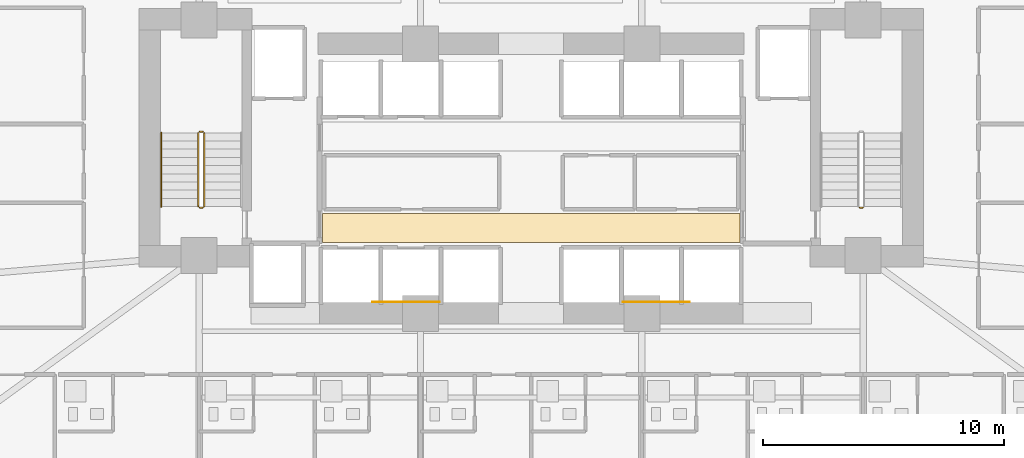
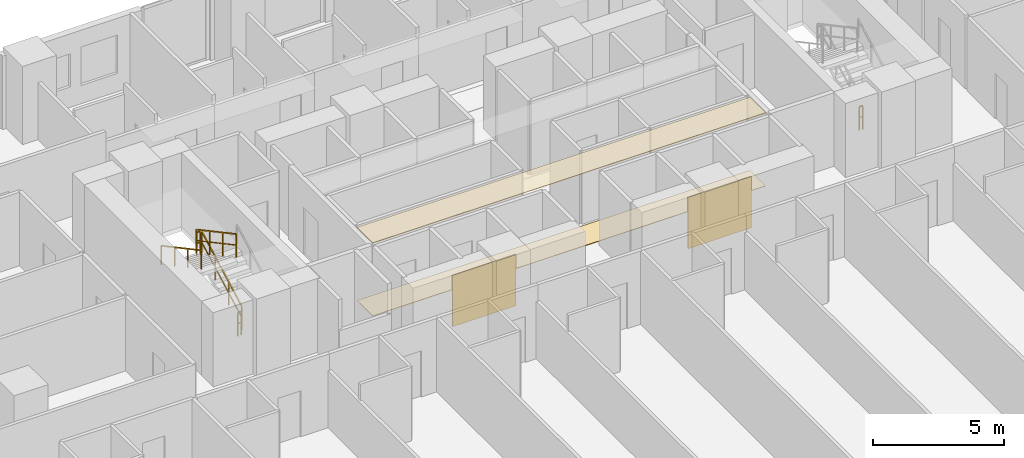
# One storey, part 26 of 29: 6 railings, 4 coverings.
"""IFC4 building model written with IfcOpenShell, lengths in metres."""

import ifcopenshell
import ifcopenshell.guid

model = None  # the IFC model being written
_history = None  # IfcOwnerHistory: only IFC2X3 demands one
_inside = {}  # id of a spatial element -> (the spatial element, [elements in it])
_under = {}  # id of a project, library or spatial element -> (it, [spatial elements below it])
_declared = {}  # id of a project -> (the project, [libraries it declares])
_typed = {}  # id of a type object -> (the type object, [elements of that type])
_made_of = {}  # id of a material, layer set ... -> (it, [elements and type objects made of it])


def new_model(schema):
    """Start an empty IFC model of exactly this schema.

    Asked for "IFC4X3", IfcOpenShell would pick the latest addendum, in which some entities
    have other attributes; the version numbers below select the first issue.
    IFC2X3 requires an IfcOwnerHistory on every rooted entity: one is made here for all.
    """
    global model, _history
    if schema == "IFC4X3":
        model = ifcopenshell.file(schema_version=(4, 3, 0, 0))
    else:
        model = ifcopenshell.file(schema=schema)
    _inside.clear()
    _under.clear()
    _declared.clear()
    _typed.clear()
    _made_of.clear()
    _history = None
    if model.schema == "IFC2X3":
        org = make("IfcOrganization", Name="unknown")
        user = make(
            "IfcPersonAndOrganization",
            ThePerson=make("IfcPerson", FamilyName="unknown"),
            TheOrganization=org,
        )
        app = make(
            "IfcApplication",
            ApplicationDeveloper=org,
            Version="unknown",
            ApplicationFullName="unknown",
            ApplicationIdentifier="unknown",
        )
        _history = make(
            "IfcOwnerHistory",
            OwningUser=user,
            OwningApplication=app,
            ChangeAction="ADDED",
            CreationDate=0,
        )
    return model


def make(cls, **values):
    """One entity of the class cls with the attributes given. An attribute that is None is left unset."""
    return model.create_entity(
        cls, **{name: value for name, value in values.items() if value is not None}
    )


def rooted(cls, **values):
    """An entity with a GlobalId (a new one), such as an element, a storey or a relation."""
    return make(cls, GlobalId=ifcopenshell.guid.new(), OwnerHistory=_history, **values)


def si_unit(unit_type, name, prefix=None):
    """IfcSIUnit, for example si_unit("LENGTHUNIT", "METRE", prefix="MILLI")."""
    return make("IfcSIUnit", UnitType=unit_type, Prefix=prefix, Name=name)


def assignment(units):
    """IfcUnitAssignment: the units of a project."""
    return None if units is None else make("IfcUnitAssignment", Units=units)


def point(xyz):
    """IfcCartesianPoint."""
    return None if xyz is None else make("IfcCartesianPoint", Coordinates=xyz)


def direction(xyz):
    """IfcDirection."""
    return None if xyz is None else make("IfcDirection", DirectionRatios=xyz)


def frame(location, z_axis=None, x_axis=None):
    """IfcAxis2Placement3D, a coordinate frame: its origin and axes. An axis left out is left unset."""
    return make(
        "IfcAxis2Placement3D",
        Location=point(location),
        Axis=direction(z_axis),
        RefDirection=direction(x_axis),
    )


def frame_2d(location, x_axis=None):
    """IfcAxis2Placement2D, a coordinate frame in the plane: its origin and x axis."""
    return make(
        "IfcAxis2Placement2D", Location=point(location), RefDirection=direction(x_axis)
    )


def origin():
    """The frame at (0, 0, 0) with its axes left unset."""
    return frame((0.0, 0.0, 0.0))


def origin_2d():
    """The frame at (0, 0) in the plane with its x axis left unset."""
    return frame_2d((0.0, 0.0))


def place(relative_to, where):
    """IfcLocalPlacement: puts the frame where relative to a parent placement (None: the world)."""
    return make(
        "IfcLocalPlacement", PlacementRelTo=relative_to, RelativePlacement=where
    )


def context(
    kind, dimensions, precision=None, world=None, true_north=None, identifier=None
):
    """IfcGeometricRepresentationContext, for example the 3D "Model" context."""
    return make(
        "IfcGeometricRepresentationContext",
        ContextIdentifier=identifier,
        ContextType=kind,
        CoordinateSpaceDimension=dimensions,
        Precision=precision,
        WorldCoordinateSystem=world,
        TrueNorth=true_north,
    )


def subcontext(parent, identifier, kind, view, scale=None):
    """IfcGeometricRepresentationSubContext, for example "Body" below "Model"."""
    return make(
        "IfcGeometricRepresentationSubContext",
        ContextIdentifier=identifier,
        ContextType=kind,
        ParentContext=parent,
        TargetScale=scale,
        TargetView=view,
    )


def project(units=None, contexts=None):
    """IfcProject with its units and contexts."""
    return rooted(
        "IfcProject",
        Name="project",
        RepresentationContexts=contexts,
        UnitsInContext=assignment(units),
    )


def spatial(cls, under=None, at=None, **own):
    """A site, building, storey or space (cls), placed at a placement, below another one or the project."""
    s = rooted(cls, ObjectPlacement=at, **own)
    if under is not None:
        _under.setdefault(under.id(), (under, []))[1].append(s)
    return s


def polyline(points):
    """IfcPolyline through the points."""
    return make("IfcPolyline", Points=[point(p) for p in points])


def profile(cls, at=None, kind="AREA", **sizes):
    """A parametric profile (cls). Its sizes go by their IFC names, for example OverallWidth=200.0."""
    return make(cls, ProfileType=kind, Position=at, **sizes)


def rectangle(**sizes):
    """IfcRectangleProfileDef."""
    return profile("IfcRectangleProfileDef", **sizes)


def outline(outer, holes=None, kind="AREA"):
    """IfcArbitraryClosedProfileDef: a profile drawn as a closed curve; with holes, ...WithVoids."""
    if holes is None:
        return make("IfcArbitraryClosedProfileDef", ProfileType=kind, OuterCurve=outer)
    return make(
        "IfcArbitraryProfileDefWithVoids",
        ProfileType=kind,
        OuterCurve=outer,
        InnerCurves=holes,
    )


def extrude(swept, where, along, depth):
    """IfcExtrudedAreaSolid: the profile swept, set in the frame where, extruded along a direction by depth."""
    return make(
        "IfcExtrudedAreaSolid",
        SweptArea=swept,
        Position=where,
        ExtrudedDirection=direction(along),
        Depth=depth,
    )


def shape(context_of_items, identifier, shape_type, items):
    """IfcShapeRepresentation: the items that make up one representation, for example the "Body"."""
    return make(
        "IfcShapeRepresentation",
        ContextOfItems=context_of_items,
        RepresentationIdentifier=identifier,
        RepresentationType=shape_type,
        Items=items,
    )


def material(Name=None, Category=None):
    """IfcMaterial."""
    return make("IfcMaterial", Name=Name, Category=Category)


def layer(
    of_material, thickness, ventilated=None, Name=None, Category=None, Priority=None
):
    """IfcMaterialLayer: one layer of a wall or slab, of a material (None: an air gap)."""
    return make(
        "IfcMaterialLayer",
        Material=of_material,
        LayerThickness=thickness,
        IsVentilated=ventilated,
        Name=Name,
        Category=Category,
        Priority=Priority,
    )


def layer_set(layers, Name=None):
    """IfcMaterialLayerSet."""
    return make("IfcMaterialLayerSet", MaterialLayers=layers, LayerSetName=Name)


def made_of(thing, what):
    """Note that an element or type object is made of a material, layer set ...; save() writes the relation."""
    if what is not None:
        _made_of.setdefault(what.id(), (what, []))[1].append(thing)
    return thing


def type_object(cls, material=None, **own):
    """A type object (cls), such as IfcWallType, which elements share."""
    return made_of(rooted(cls, **own), material)


def element(
    cls,
    number,
    at=None,
    inside=None,
    cuts=None,
    type_object=None,
    material=None,
    context=None,
    identifier="Body",
    shape_type=None,
    held_by="IfcProductDefinitionShape",
    body=None,
    shapes=None,
    **own,
):
    """One element of the class cls, such as IfcWall. Its Tag is "e" and its number.

    at: its placement. inside: the storey or other place that contains it. cuts: it is an
    opening in that element (IfcRelVoidsElement). A single representation is given by context,
    identifier, shape_type and body (its items); several are given by shapes. held_by: the class
    of the entity that holds the representations. save() writes the other relations.
    """
    e = rooted(cls, Tag="e%d" % number, ObjectPlacement=at, **own)
    if body is not None:
        shapes = [shape(context, identifier, shape_type, body)]
    if shapes is not None:
        e.Representation = make(held_by, Representations=shapes)
    if inside is not None:
        _inside.setdefault(inside.id(), (inside, []))[1].append(e)
    if cuts is not None:
        rooted(
            "IfcRelVoidsElement", RelatingBuildingElement=cuts, RelatedOpeningElement=e
        )
    if type_object is not None:
        _typed.setdefault(type_object.id(), (type_object, []))[1].append(e)
    return made_of(e, material)


def aggregate(whole, parts):
    """IfcRelAggregates: a whole, such as a stair, and the parts it consists of."""
    return rooted("IfcRelAggregates", RelatingObject=whole, RelatedObjects=parts)


def save(model, path):
    """Write the relations noted so far, then the file.

    IfcRelAggregates (storeys below a building ...), IfcRelContainedInSpatialStructure (elements
    in a storey), IfcRelDefinesByType, IfcRelAssociatesMaterial and IfcRelDeclares: one each for
    every whole, place, type object, material and project.
    """
    for whole, parts in _under.values():
        aggregate(whole, parts)
    for where, things in _inside.values():
        rooted(
            "IfcRelContainedInSpatialStructure",
            RelatedElements=things,
            RelatingStructure=where,
        )
    for kind, things in _typed.values():
        rooted("IfcRelDefinesByType", RelatedObjects=things, RelatingType=kind)
    for what, things in _made_of.values():
        rooted("IfcRelAssociatesMaterial", RelatedObjects=things, RelatingMaterial=what)
    for by, libraries in _declared.values():
        rooted("IfcRelDeclares", RelatingContext=by, RelatedDefinitions=libraries)
    model.write(path)


model = new_model("IFC4")

# Units and contexts
model_context = context("Model", 3, precision=1e-05, world=origin(), true_north=direction((0.0, 1.0)))
body_context = subcontext(model_context, "Body", "Model", "MODEL_VIEW")
ifc_project = project(units=[si_unit("LENGTHUNIT", "METRE"), si_unit("AREAUNIT", "SQUARE_METRE"), si_unit("VOLUMEUNIT", "CUBIC_METRE"), si_unit("PLANEANGLEUNIT", "RADIAN"), si_unit("MASSUNIT", "GRAM", prefix="KILO")], contexts=[model_context])

# Site, building, storey
site_placement = place(None, origin())
site = spatial("IfcSite", under=ifc_project, at=site_placement, CompositionType="ELEMENT")
building_placement = place(site_placement, origin())
building = spatial("IfcBuilding", under=site, at=building_placement, Name="Zuhayl Quay Hotel", CompositionType="ELEMENT")
storey_placement = place(building_placement, frame((0.0, 0.0, 60.449951171875)))
storey = spatial("IfcBuildingStorey", under=building, at=storey_placement, Name="L14", CompositionType="ELEMENT", Elevation=60.449951171875)

# Coverings
ifc_material_1 = material(Name="Acoustic Mineral-Fibre Gypsum Board")
ifc_layer_1 = layer(ifc_material_1, 0.02490234375, Name="Acoustic Mineral-Fibre Gypsum Board")
ifc_layer_set_1 = layer_set([ifc_layer_1], Name="Acoustic Mineral-Fibre Gypsum Board")
covering_type_1 = type_object("IfcCoveringType", Name="CV_CEIL_ACOUSTIC", PredefinedType="CEILING", material=ifc_layer_set_1)
covering_1_placement = place(storey_placement, frame((0.0, 0.0, 3.405029296875)))
element("IfcCovering", 1, at=covering_1_placement, inside=storey, type_object=covering_type_1, Name="L14 Suspended Acoustic Lobby Ceiling S", PredefinedType="CEILING", context=body_context, shape_type="SweptSolid", body=[
    extrude(outline(polyline([(-8.679931640625, 5.10009765625), (8.679931640625, 5.10009765625), (8.679931640625, 6.300048828125), (-8.679931640625, 6.300048828125), (-8.679931640625, 5.10009765625)])), origin(), (0.0, 0.0, 1.0), 0.02490234375),
])
ifc_material_2 = material(Name="Polished Limestone Terrazzo", Category="masonry")
ifc_layer_2 = layer(ifc_material_2, 0.02001953125, Name="Polished Limestone Terrazzo", Category="masonry")
ifc_layer_set_2 = layer_set([ifc_layer_2], Name="Polished Limestone Terrazzo")
covering_type_2 = type_object("IfcCoveringType", Name="CV_FLOOR_TERRAZZO", PredefinedType="FLOORING", material=ifc_layer_set_2)
covering_2_placement = place(storey_placement, origin())
element("IfcCovering", 2, at=covering_2_placement, inside=storey, type_object=covering_type_2, Name="L14 Honed Limestone Terrazzo Lobby Flooring S", PredefinedType="FLOORING", context=body_context, shape_type="SweptSolid", body=[
    extrude(outline(polyline([(-8.679931640625, 5.10009765625), (8.679931640625, 5.10009765625), (8.679931640625, 6.300048828125), (-8.679931640625, 6.300048828125), (-8.679931640625, 5.10009765625)])), origin(), (0.0, 0.0, 1.0), 0.02001953125),
])
ifc_material_3 = material(Name="Acoustic Walnut Feature Timber", Category="wood")
ifc_layer_3 = layer(ifc_material_3, 0.02197265625, Name="Acoustic Walnut Feature Timber", Category="wood")
ifc_layer_set_3 = layer_set([ifc_layer_3], Name="Acoustic Walnut Feature Timber")
covering_type_3 = type_object("IfcCoveringType", Name="CV_WALL_CLAD", PredefinedType="CLADDING", material=ifc_layer_set_3)
for number, where, z_axis, x_axis, name in (
    (3, (-5.199951171875, 2.611083984375, 0.300048828125), (0.0, 0.0, 1.0), (1.0, 0.0, 0.0), "L14 Feature Lobby Walnut Wall Cladding W"),
    (4, (5.199951171875, 2.611083984375, 0.300048828125), (0.0, 0.0, 1.0), (1.0, 0.0, 0.0), "L14 Feature Lobby Walnut Wall Cladding E"),
):
    element("IfcCovering", number, at=place(storey_placement, frame(where, z_axis=z_axis, x_axis=x_axis)), inside=storey, type_object=covering_type_3, Name=name, PredefinedType="CLADDING", context=body_context, shape_type="SweptSolid", body=[
        extrude(rectangle(XDim=2.800048828125, YDim=0.02197265625, at=origin_2d()), origin(), (0.0, 0.0, 1.0), 2.39990234375),
    ])

# Railings
ifc_material_4 = material(Name="Steel ASTM A992 Grade 50", Category="steel")
railing_type_1 = type_object("IfcRailingType", Name="RL_GUARD_1100", PredefinedType="GUARDRAIL", material=ifc_material_4)
railing_1_placement = place(storey_placement, frame((-13.590087890625, 6.590087890625, 0.1826171875)))
element("IfcRailing", 5, at=railing_1_placement, inside=storey, type_object=railing_type_1, Name="L14 ST1 stair guard 1", PredefinedType="GUARDRAIL", context=body_context, shape_type="SweptSolid", body=[
    extrude(rectangle(XDim=0.048095703125, YDim=0.048095703125, at=origin_2d()), frame((0.0, 0.0, 1.09619140625), z_axis=(0.0, 0.881102395774, 0.472925541879), x_axis=(-1.0, 0.0, 0.0)), (0.0, 0.0, 1.0), 3.47265625),
    extrude(rectangle(XDim=0.0361328125, YDim=0.0361328125, at=origin_2d()), frame((0.0, 0.0, 0.58251953125), z_axis=(0.0, 0.881102395774, 0.472925541879), x_axis=(-1.0, 0.0, 0.0)), (0.0, 0.0, 1.0), 3.47265625),
    extrude(rectangle(XDim=0.0419921875, YDim=0.0419921875, at=origin_2d()), origin(), (0.0, 0.0, 1.0), 1.072021484375),
    extrude(rectangle(XDim=0.0419921875, YDim=0.0419921875, at=origin_2d()), frame((0.0, 1.02001953125, 0.54736328125)), (0.0, 0.0, 1.0), 1.072021484375),
    extrude(rectangle(XDim=0.0419921875, YDim=0.0419921875, at=origin_2d()), frame((0.0, 2.039794921875, 1.094970703125)), (0.0, 0.0, 1.0), 1.072021484375),
    extrude(rectangle(XDim=0.0419921875, YDim=0.0419921875, at=origin_2d()), frame((0.0, 3.059814453125, 1.642333984375)), (0.0, 0.0, 1.0), 1.072021484375),
])
railing_2_placement = place(storey_placement, frame((-13.639892578125, 9.699951171875, 1.824951171875)))
element("IfcRailing", 6, at=railing_2_placement, inside=storey, type_object=railing_type_1, Name="L14 ST1 stair guard 2", PredefinedType="GUARDRAIL", context=body_context, shape_type="SweptSolid", body=[
    extrude(rectangle(XDim=0.048095703125, YDim=0.048095703125, at=origin_2d()), frame((0.0, 0.0, 1.09619140625), z_axis=(-1.0, 0.0, 0.0), x_axis=(0.0, -1.0, 0.0)), (0.0, 0.0, 1.0), 0.150146484375),
    extrude(rectangle(XDim=0.0361328125, YDim=0.0361328125, at=origin_2d()), frame((0.0, 0.0, 0.58251953125), z_axis=(-1.0, 0.0, 0.0), x_axis=(0.0, -1.0, 0.0)), (0.0, 0.0, 1.0), 0.150146484375),
    extrude(rectangle(XDim=0.0419921875, YDim=0.0419921875, at=origin_2d()), origin(), (0.0, 0.0, 1.0), 1.072021484375),
    extrude(rectangle(XDim=0.0419921875, YDim=0.0419921875, at=origin_2d()), frame((-0.150146484375, 0.0, 0.0)), (0.0, 0.0, 1.0), 1.072021484375),
])
railing_3_placement = place(storey_placement, frame((-13.840087890625, 9.64990234375, 2.007568359375)))
element("IfcRailing", 7, at=railing_3_placement, inside=storey, type_object=railing_type_1, Name="L14 ST1 stair guard 3", PredefinedType="GUARDRAIL", context=body_context, shape_type="SweptSolid", body=[
    extrude(rectangle(XDim=0.048095703125, YDim=0.048095703125, at=origin_2d()), frame((0.0, 0.0, 1.09619140625), z_axis=(0.0, -0.88107310026, 0.472980117973), x_axis=(1.0, 0.0, 0.0)), (0.0, 0.0, 1.0), 3.472900390625),
    extrude(rectangle(XDim=0.0361328125, YDim=0.0361328125, at=origin_2d()), frame((0.0, 0.0, 0.58251953125), z_axis=(0.0, -0.88107310026, 0.472980117973), x_axis=(1.0, 0.0, 0.0)), (0.0, 0.0, 1.0), 3.472900390625),
    extrude(rectangle(XDim=0.0419921875, YDim=0.0419921875, at=origin_2d()), origin(), (0.0, 0.0, 1.0), 1.072021484375),
    extrude(rectangle(XDim=0.0419921875, YDim=0.0419921875, at=origin_2d()), frame((0.0, -1.02001953125, 0.547607421875)), (0.0, 0.0, 1.0), 1.072021484375),
    extrude(rectangle(XDim=0.0419921875, YDim=0.0419921875, at=origin_2d()), frame((0.0, -2.039794921875, 1.094970703125)), (0.0, 0.0, 1.0), 1.072021484375),
    extrude(rectangle(XDim=0.0419921875, YDim=0.0419921875, at=origin_2d()), frame((0.0, -3.059814453125, 1.642578125)), (0.0, 0.0, 1.0), 1.072021484375),
])
for number, where, name in (
    (8, (-13.639892578125, 6.5400390625, 0.0), "L14 ST1 stair guard 4"),
    (9, (13.7900390625, 6.5400390625, 0.0), "L14 ST2 stair guard 4"),
):
    element("IfcRailing", number, at=place(storey_placement, frame(where)), inside=storey, type_object=railing_type_1, Name=name, PredefinedType="GUARDRAIL", context=body_context, shape_type="SweptSolid", body=[
        extrude(rectangle(XDim=0.048095703125, YDim=0.048095703125, at=origin_2d()), frame((0.0, 0.0, 1.09619140625), z_axis=(-1.0, 0.0, 0.0), x_axis=(0.0, -1.0, 0.0)), (0.0, 0.0, 1.0), 0.150146484375),
        extrude(rectangle(XDim=0.0361328125, YDim=0.0361328125, at=origin_2d()), frame((0.0, 0.0, 0.58251953125), z_axis=(-1.0, 0.0, 0.0), x_axis=(0.0, -1.0, 0.0)), (0.0, 0.0, 1.0), 0.150146484375),
        extrude(rectangle(XDim=0.0419921875, YDim=0.0419921875, at=origin_2d()), origin(), (0.0, 0.0, 1.0), 1.072021484375),
        extrude(rectangle(XDim=0.0419921875, YDim=0.0419921875, at=origin_2d()), frame((-0.150146484375, 0.0, 0.0)), (0.0, 0.0, 1.0), 1.072021484375),
    ])
railing_type_2 = type_object("IfcRailingType", Name="RL_HANDRAIL_920", PredefinedType="HANDRAIL", material=ifc_material_4)
railing_4_placement = place(storey_placement, frame((-15.3798828125, 9.64990234375, 2.007568359375)))
element("IfcRailing", 10, at=railing_4_placement, inside=storey, type_object=railing_type_2, Name="L14 ST1 stair handrail 2", PredefinedType="HANDRAIL", context=body_context, shape_type="SweptSolid", body=[
    extrude(rectangle(XDim=0.048095703125, YDim=0.048095703125, at=origin_2d()), frame((0.0, 0.0, 0.8759765625), z_axis=(0.0, -0.88107310026, 0.472980117973), x_axis=(1.0, 0.0, 0.0)), (0.0, 0.0, 1.0), 3.472900390625),
    extrude(rectangle(XDim=0.0419921875, YDim=0.0419921875, at=origin_2d()), origin(), (0.0, 0.0, 1.0), 0.851806640625),
    extrude(rectangle(XDim=0.0419921875, YDim=0.0419921875, at=origin_2d()), frame((0.0, -1.02001953125, 0.547607421875)), (0.0, 0.0, 1.0), 0.851806640625),
    extrude(rectangle(XDim=0.0419921875, YDim=0.0419921875, at=origin_2d()), frame((0.0, -2.039794921875, 1.094970703125)), (0.0, 0.0, 1.0), 0.851806640625),
    extrude(rectangle(XDim=0.0419921875, YDim=0.0419921875, at=origin_2d()), frame((0.0, -3.059814453125, 1.642578125)), (0.0, 0.0, 1.0), 0.851806640625),
])

save(model, "model.ifc")
